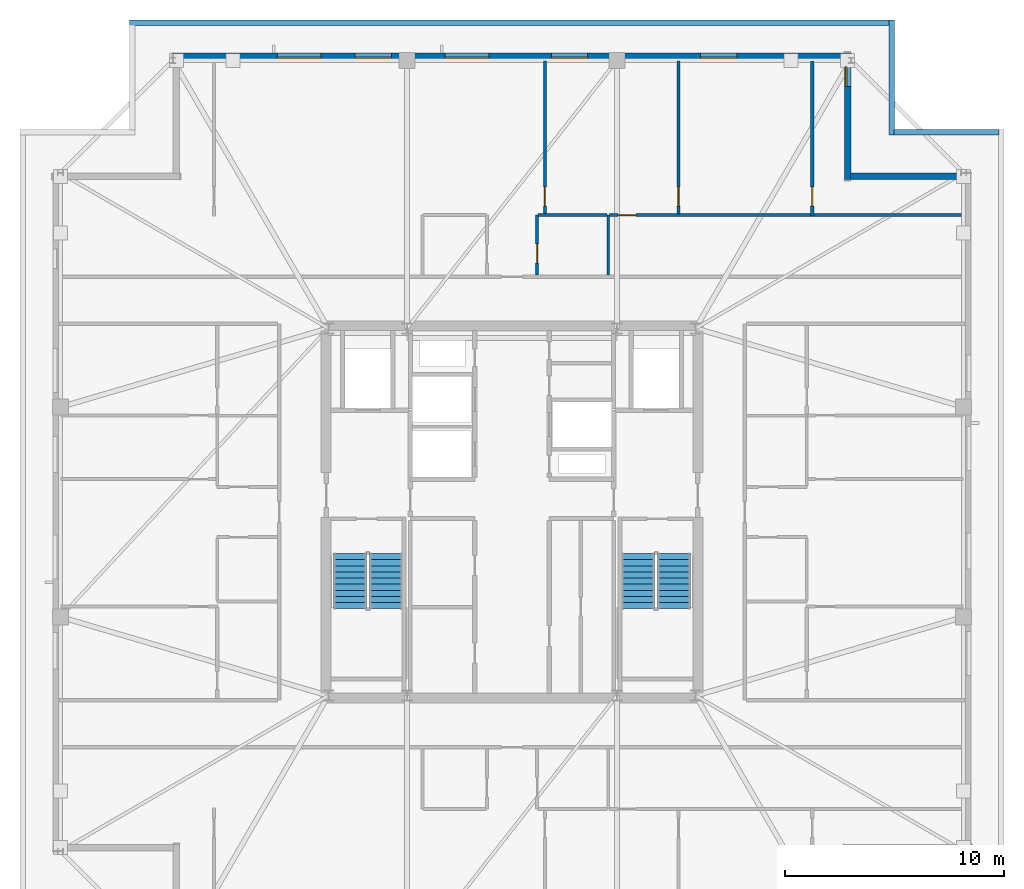
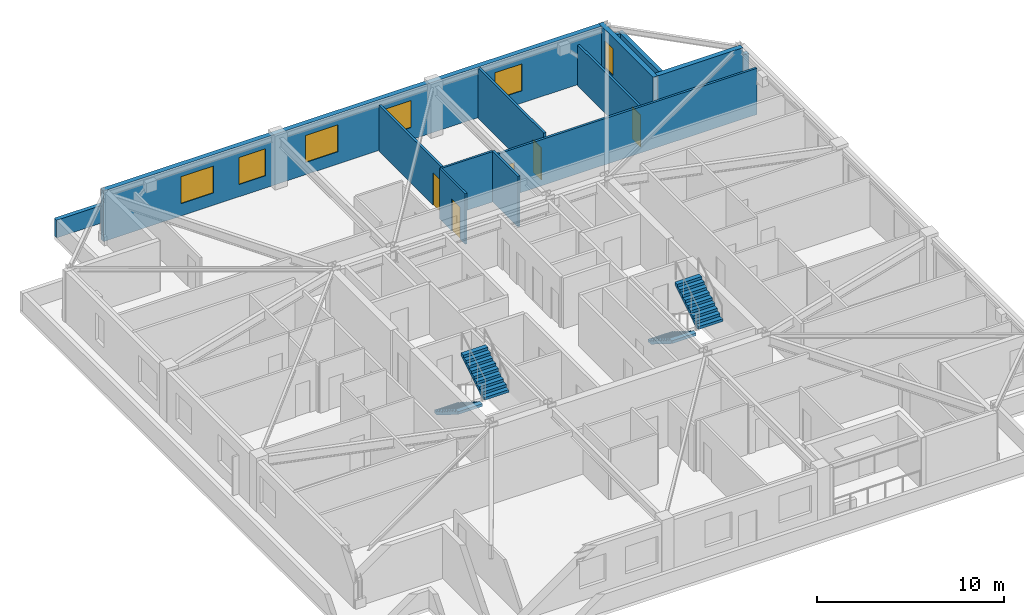
# One storey, part 11 of 15: 13 walls, 6 windows, 5 doors, 4 stair flights, 11 openings, 2 elements without a shape of their own.
"""IFC4 building model written with IfcOpenShell, lengths in metres."""

from ifc_helpers import new_model, si_unit, direction, frame, frame_2d, origin, place, context, subcontext, project, spatial, polyline, rectangle, outline, extrude, material, layer, layer_set, type_object, element, fill, aggregate, save


model = new_model("IFC4")

# Units and contexts
model_context = context("Model", 3, precision=1e-05, world=origin(), true_north=direction((0.0, 1.0)))
body_context = subcontext(model_context, "Body", "Model", "MODEL_VIEW")
ifc_project = project(units=[si_unit("LENGTHUNIT", "METRE"), si_unit("AREAUNIT", "SQUARE_METRE"), si_unit("VOLUMEUNIT", "CUBIC_METRE"), si_unit("PLANEANGLEUNIT", "RADIAN"), si_unit("MASSUNIT", "GRAM", prefix="KILO")], contexts=[model_context])

# Site, building, storey
site_placement = place(None, origin())
site = spatial("IfcSite", under=ifc_project, at=site_placement, CompositionType="ELEMENT")
building_placement = place(site_placement, origin())
building = spatial("IfcBuilding", under=site, at=building_placement, Name="Cairnveth Concourse Tower", CompositionType="ELEMENT")
storey_placement = place(building_placement, frame((0.0, 0.0, 280.5)))
storey = spatial("IfcBuildingStorey", under=building, at=storey_placement, Name="L77", CompositionType="ELEMENT", Elevation=280.5)

# Wall, opening, door
ifc_material_1 = material(Name="Gypsum Plasterboard Partition", Category="gypsum")
ifc_layer_1 = layer(ifc_material_1, 0.139892578125)
ifc_layer_set_1 = layer_set([ifc_layer_1], Name="Gypsum Plasterboard Partition")
wall_type_1 = type_object("IfcWallType", Name="GYPSUM STUD PARTITION 140", PredefinedType="PARTITIONING", material=ifc_layer_set_1)
wall_1_placement = place(storey_placement, frame((65.72998046875, 52.5400390625, 0.0), z_axis=(0.0, 0.0, 1.0), x_axis=(0.0, 1.0, 0.0)))
wall_1 = element("IfcWall", 1, at=wall_1_placement, inside=storey, type_object=wall_type_1, Name="Interior Wall IW-L77-062", PredefinedType="PARTITIONING", context=body_context, shape_type="SweptSolid", body=[
    extrude(rectangle(XDim=7.080078125, YDim=0.139892578125, at=frame_2d((3.5400390625, 0.0))), origin(), (0.0, 0.0, 1.0), 2.653076171875),
])
opening_1_placement = place(wall_1_placement, frame((0.449951171875, 0.0, 0.0)))
opening_1 = element("IfcOpeningElement", 2, at=opening_1_placement, cuts=wall_1, Name="Opening ID18", PredefinedType="OPENING", context=body_context, shape_type="SweptSolid", body=[
    extrude(rectangle(XDim=0.8798828125, YDim=2.10009765625, at=frame_2d((0.43994140625, 1.050048828125))), frame((0.0, 0.079833984375, 0.0), z_axis=(0.0, -1.0, 0.0), x_axis=(1.0, 0.0, 0.0)), (0.0, 0.0, 1.0), 0.159912109375),
])
ifc_material_2 = material(Name="Solid Core Hardwood Timber Leaf", Category="wood")
door_type_1 = type_object("IfcDoorType", Name="INTERIOR SINGLE DOOR 880X2100", OperationType="NOTDEFINED", PredefinedType="DOOR", material=ifc_material_2)
door_1_placement = place(opening_1_placement, origin())
door_1 = element("IfcDoor", 3, at=door_1_placement, inside=storey, type_object=door_type_1, Name="L77PN1 Bedroom 2 Door", OperationType="SINGLE_SWING_RIGHT", OverallHeight=2.10009765625, OverallWidth=0.8798828125, PredefinedType="DOOR", context=body_context, shape_type="SweptSolid", body=[
    extrude(rectangle(XDim=0.8798828125, YDim=2.10009765625, at=frame_2d((0.43994140625, 1.050048828125))), frame((0.0, 0.02490234375, 0.0), z_axis=(0.0, -1.0, 0.0), x_axis=(1.0, 0.0, 0.0)), (0.0, 0.0, 1.0), 0.050048828125),
])
fill(opening_1, door_1)

wall_2_placement = place(storey_placement, frame((56.449951171875, 52.580078125, 0.0), z_axis=(0.0, 0.0, 1.0), x_axis=(1.0, 0.0, 0.0)))
wall_2 = element("IfcWall", 4, at=wall_2_placement, inside=storey, type_object=wall_type_1, Name="Interior Wall IW-L77-063", PredefinedType="PARTITIONING", context=body_context, shape_type="SweptSolid", body=[
    extrude(rectangle(XDim=16.179931640625, YDim=0.139892578125, at=frame_2d((8.08984375, 0.0))), origin(), (0.0, 0.0, 1.0), 3.009033203125),
])
opening_2_placement = place(wall_2_placement, frame((0.39990234375, 0.0, 0.0)))
opening_2 = element("IfcOpeningElement", 5, at=opening_2_placement, cuts=wall_2, Name="Opening ID22", PredefinedType="OPENING", context=body_context, shape_type="SweptSolid", body=[
    extrude(rectangle(XDim=0.820068359375, YDim=2.10009765625, at=frame_2d((0.41015625, 1.050048828125))), frame((0.0, 0.079833984375, 0.0), z_axis=(0.0, -1.0, 0.0), x_axis=(1.0, 0.0, 0.0)), (0.0, 0.0, 1.0), 0.159912109375),
])
door_type_2 = type_object("IfcDoorType", Name="INTERIOR WC DOOR 820X2100", OperationType="NOTDEFINED", PredefinedType="DOOR", material=ifc_material_2)
door_2_placement = place(opening_2_placement, origin())
door_2 = element("IfcDoor", 6, at=door_2_placement, inside=storey, type_object=door_type_2, Name="L77PN1 Utility Door", OperationType="SINGLE_SWING_LEFT", OverallHeight=2.10009765625, OverallWidth=0.820068359375, PredefinedType="DOOR", context=body_context, shape_type="SweptSolid", body=[
    extrude(rectangle(XDim=0.820068359375, YDim=2.10009765625, at=frame_2d((0.41015625, 1.050048828125))), frame((0.0, 0.02490234375, 0.0), z_axis=(0.0, -1.0, 0.0), x_axis=(1.0, 0.0, 0.0)), (0.0, 0.0, 1.0), 0.050048828125),
])
fill(opening_2, door_2)

wall_3_placement = place(storey_placement, frame((53.5, 52.6298828125, 0.0), z_axis=(0.0, 0.0, 1.0), x_axis=(0.0, 1.0, 0.0)))
wall_3 = element("IfcWall", 7, at=wall_3_placement, inside=storey, type_object=wall_type_1, Name="Interior Wall IW-L77-064", PredefinedType="PARTITIONING", context=body_context, shape_type="SweptSolid", body=[
    extrude(rectangle(XDim=6.990234375, YDim=0.139892578125, at=frame_2d((3.4951171875, 0.0))), origin(), (0.0, 0.0, 1.0), 3.009033203125),
])
opening_3_placement = place(wall_3_placement, frame((0.360107421875, 0.0, 0.0)))
opening_3 = element("IfcOpeningElement", 8, at=opening_3_placement, cuts=wall_3, Name="Opening ID18", PredefinedType="OPENING", context=body_context, shape_type="SweptSolid", body=[
    extrude(rectangle(XDim=0.8798828125, YDim=2.10009765625, at=frame_2d((0.43994140625, 1.050048828125))), frame((0.0, 0.079833984375, 0.0), z_axis=(0.0, -1.0, 0.0), x_axis=(1.0, 0.0, 0.0)), (0.0, 0.0, 1.0), 0.159912109375),
])
door_3_placement = place(opening_3_placement, origin())
door_3 = element("IfcDoor", 9, at=door_3_placement, inside=storey, type_object=door_type_1, Name="L77PN1 Media Lounge Door", OperationType="SINGLE_SWING_LEFT", OverallHeight=2.10009765625, OverallWidth=0.8798828125, PredefinedType="DOOR", context=body_context, shape_type="SweptSolid", body=[
    extrude(rectangle(XDim=0.8798828125, YDim=2.10009765625, at=frame_2d((0.43994140625, 1.050048828125))), frame((0.0, 0.02490234375, 0.0), z_axis=(0.0, -1.0, 0.0), x_axis=(1.0, 0.0, 0.0)), (0.0, 0.0, 1.0), 0.050048828125),
])
fill(opening_3, door_3)

wall_4_placement = place(storey_placement, frame((59.614990234375, 52.635009765625, 0.0), z_axis=(0.0, 0.0, 1.0), x_axis=(0.0, 1.0, 0.0)))
wall_4 = element("IfcWall", 10, at=wall_4_placement, inside=storey, type_object=wall_type_1, Name="Interior Wall IW-L77-065", PredefinedType="PARTITIONING", context=body_context, shape_type="SweptSolid", body=[
    extrude(rectangle(XDim=6.985107421875, YDim=0.139892578125, at=frame_2d((3.49267578125, 0.0))), origin(), (0.0, 0.0, 1.0), 3.2900390625),
])
opening_4_placement = place(wall_4_placement, frame((0.35498046875, 0.0, 0.0)))
opening_4 = element("IfcOpeningElement", 11, at=opening_4_placement, cuts=wall_4, Name="Opening ID18", PredefinedType="OPENING", context=body_context, shape_type="SweptSolid", body=[
    extrude(rectangle(XDim=0.8798828125, YDim=2.10009765625, at=frame_2d((0.43994140625, 1.050048828125))), frame((0.0, 0.079833984375, 0.0), z_axis=(0.0, -1.0, 0.0), x_axis=(1.0, 0.0, 0.0)), (0.0, 0.0, 1.0), 0.159912109375),
])
door_4_placement = place(opening_4_placement, origin())
door_4 = element("IfcDoor", 12, at=door_4_placement, inside=storey, type_object=door_type_1, Name="L77PN1 Library Salon Door", OperationType="SINGLE_SWING_RIGHT", OverallHeight=2.10009765625, OverallWidth=0.8798828125, PredefinedType="DOOR", context=body_context, shape_type="SweptSolid", body=[
    extrude(rectangle(XDim=0.8798828125, YDim=2.10009765625, at=frame_2d((0.43994140625, 1.050048828125))), frame((0.0, 0.02490234375, 0.0), z_axis=(0.0, -1.0, 0.0), x_axis=(1.0, 0.0, 0.0)), (0.0, 0.0, 1.0), 0.050048828125),
])
fill(opening_4, door_4)

# Walls
ifc_material_3 = material(Name="Hawthorn Red-Ochre Fired Clay Brick Masonry", Category="masonry")
ifc_layer_2 = layer(ifc_material_3, 0.25)
ifc_layer_set_2 = layer_set([ifc_layer_2], Name="Hawthorn Red-Ochre Fired Clay Brick Masonry")
wall_type_2 = type_object("IfcWallType", Name="ROOF MASONRY PARAPET WALL 250", PredefinedType="PARAPET", material=ifc_layer_set_2)
wall_5_placement = place(storey_placement, frame((34.5, 61.375, 0.0), z_axis=(0.0, 0.0, 1.0), x_axis=(1.0, 0.0, 0.0)))
element("IfcWall", 13, at=wall_5_placement, inside=storey, type_object=wall_type_2, Name="Exterior Wall EP-L77-SB05", PredefinedType="PARAPET", context=body_context, shape_type="SweptSolid", body=[
    extrude(rectangle(XDim=34.77197265625, YDim=0.25, at=frame_2d((17.385986328125, 0.0))), origin(), (0.0, 0.0, 1.0), 1.14990234375),
])
wall_6_placement = place(storey_placement, frame((69.375, 61.5, 0.0), z_axis=(0.0, 0.0, 1.0), x_axis=(0.0, -1.0, 0.0)))
element("IfcWall", 14, at=wall_6_placement, inside=storey, type_object=wall_type_2, Name="Exterior Wall EP-L77-SB06", PredefinedType="PARAPET", context=body_context, shape_type="SweptSolid", body=[
    extrude(rectangle(XDim=5.25, YDim=0.25, at=frame_2d((2.625, 0.0))), origin(), (0.0, 0.0, 1.0), 1.14990234375),
])
wall_7_placement = place(storey_placement, frame((69.47802734375, 56.375, 0.0), z_axis=(0.0, 0.0, 1.0), x_axis=(1.0, 0.0, 0.0)))
element("IfcWall", 15, at=wall_7_placement, inside=storey, type_object=wall_type_2, Name="Exterior Wall EP-L77-SB07", PredefinedType="PARAPET", context=body_context, shape_type="SweptSolid", body=[
    extrude(rectangle(XDim=4.7939453125, YDim=0.25, at=frame_2d((2.39697265625, 0.0))), origin(), (0.0, 0.0, 1.0), 1.14990234375),
])
ifc_layer_3 = layer(ifc_material_1, 0.1298828125)
ifc_layer_set_3 = layer_set([ifc_layer_3], Name="Gypsum Plasterboard Partition")
wall_type_3 = type_object("IfcWallType", Name="WET AREA PARTITION 140", PredefinedType="PLUMBINGWALL", material=ifc_layer_set_3)
wall_8_placement = place(storey_placement, frame((56.39990234375, 49.830078125, 0.0), z_axis=(0.0, 0.0, 1.0), x_axis=(0.0, 1.0, 0.0)))
element("IfcWall", 16, at=wall_8_placement, inside=storey, type_object=wall_type_3, Name="Interior Wall IW-L77-058", PredefinedType="PLUMBINGWALL", context=body_context, shape_type="SweptSolid", body=[
    extrude(rectangle(XDim=2.75, YDim=0.1298828125, at=frame_2d((1.375, 0.0))), origin(), (0.0, 0.0, 1.0), 3.2900390625),
])

# Wall, opening, door
wall_9_placement = place(storey_placement, frame((53.14990234375, 49.830078125, 0.0), z_axis=(0.0, 0.0, 1.0), x_axis=(0.0, 1.0, 0.0)))
wall_9 = element("IfcWall", 17, at=wall_9_placement, inside=storey, type_object=wall_type_3, Name="Interior Wall IW-L77-059", PredefinedType="PLUMBINGWALL", context=body_context, shape_type="SweptSolid", body=[
    extrude(rectangle(XDim=2.75, YDim=0.1298828125, at=frame_2d((1.375, 0.0))), origin(), (0.0, 0.0, 1.0), 3.2900390625),
])
opening_5_placement = place(wall_9_placement, frame((0.550048828125, 0.0, 0.0)))
opening_5 = element("IfcOpeningElement", 18, at=opening_5_placement, cuts=wall_9, Name="Opening ID18", PredefinedType="OPENING", context=body_context, shape_type="SweptSolid", body=[
    extrude(rectangle(XDim=0.8798828125, YDim=2.10009765625, at=frame_2d((0.43994140625, 1.050048828125))), frame((0.0, 0.074951171875, 0.0), z_axis=(0.0, -1.0, 0.0), x_axis=(1.0, 0.0, 0.0)), (0.0, 0.0, 1.0), 0.14990234375),
])
door_5_placement = place(opening_5_placement, origin())
door_5 = element("IfcDoor", 19, at=door_5_placement, inside=storey, type_object=door_type_1, Name="L77PN1 Kitchen Door", OperationType="SINGLE_SWING_LEFT", OverallHeight=2.10009765625, OverallWidth=0.8798828125, PredefinedType="DOOR", context=body_context, shape_type="SweptSolid", body=[
    extrude(rectangle(XDim=0.8798828125, YDim=2.10009765625, at=frame_2d((0.43994140625, 1.050048828125))), frame((0.0, 0.02490234375, 0.0), z_axis=(0.0, -1.0, 0.0), x_axis=(1.0, 0.0, 0.0)), (0.0, 0.0, 1.0), 0.050048828125),
])
fill(opening_5, door_5)

# Wall
wall_10_placement = place(storey_placement, frame((53.199951171875, 52.580078125, 0.0), z_axis=(0.0, 0.0, 1.0), x_axis=(1.0, 0.0, 0.0)))
element("IfcWall", 20, at=wall_10_placement, inside=storey, type_object=wall_type_3, Name="Interior Wall IW-L77-060", PredefinedType="PLUMBINGWALL", context=body_context, shape_type="SweptSolid", body=[
    extrude(rectangle(XDim=3.150146484375, YDim=0.1298828125, at=frame_2d((1.5751953125, 0.0))), origin(), (0.0, 0.0, 1.0), 3.2900390625),
])

# Wall, openings, windows
ifc_layer_4 = layer(ifc_material_3, 0.300048828125)
ifc_layer_set_4 = layer_set([ifc_layer_4], Name="Hawthorn Red-Ochre Fired Clay Brick Masonry")
wall_type_4 = type_object("IfcWallType", Name="ZONE 4 BRICK PIER SPANDREL WALL 300", PredefinedType="SOLIDWALL", material=ifc_layer_set_4)
wall_11_placement = place(storey_placement, frame((36.5, 59.85009765625, 0.0), z_axis=(0.0, 0.0, 1.0), x_axis=(1.0, 0.0, 0.0)))
wall_11 = element("IfcWall", 21, at=wall_11_placement, inside=storey, type_object=wall_type_4, Name="Exterior Wall EW-L77-S06", PredefinedType="SOLIDWALL", context=body_context, shape_type="SweptSolid", body=[
    extrude(rectangle(XDim=30.721923828125, YDim=0.300048828125, at=frame_2d((15.36083984375, 0.0))), origin(), (0.0, 0.0, 1.0), 3.2900390625),
])
opening_6_placement = place(wall_11_placement, frame((4.7685546875, 0.0, 0.800048828125)))
opening_6 = element("IfcOpeningElement", 22, at=opening_6_placement, cuts=wall_11, Name="Opening W09", PredefinedType="OPENING", context=body_context, shape_type="SweptSolid", body=[
    extrude(rectangle(XDim=2.0, YDim=1.758056640625, at=frame_2d((1.0, 0.87890625))), frame((0.0, 0.159912109375, 0.0), z_axis=(0.0, -1.0, 0.0), x_axis=(1.0, 0.0, 0.0)), (0.0, 0.0, 1.0), 0.320068359375),
])
opening_7_placement = place(wall_11_placement, frame((8.33056640625, 0.0, 0.800048828125)))
opening_7 = element("IfcOpeningElement", 23, at=opening_7_placement, cuts=wall_11, Name="Opening W04", PredefinedType="OPENING", context=body_context, shape_type="SweptSolid", body=[
    extrude(rectangle(XDim=1.64990234375, YDim=1.758056640625, at=frame_2d((0.824951171875, 0.87890625))), frame((0.0, 0.159912109375, 0.0), z_axis=(0.0, -1.0, 0.0), x_axis=(1.0, 0.0, 0.0)), (0.0, 0.0, 1.0), 0.320068359375),
])
opening_8_placement = place(wall_11_placement, frame((12.4423828125, 0.0, 0.800048828125)))
opening_8 = element("IfcOpeningElement", 24, at=opening_8_placement, cuts=wall_11, Name="Opening W09", PredefinedType="OPENING", context=body_context, shape_type="SweptSolid", body=[
    extrude(rectangle(XDim=2.0, YDim=1.758056640625, at=frame_2d((1.0, 0.87890625))), frame((0.0, 0.159912109375, 0.0), z_axis=(0.0, -1.0, 0.0), x_axis=(1.0, 0.0, 0.0)), (0.0, 0.0, 1.0), 0.320068359375),
])
opening_9_placement = place(wall_11_placement, frame((17.304443359375, 0.0, 0.800048828125)))
opening_9 = element("IfcOpeningElement", 25, at=opening_9_placement, cuts=wall_11, Name="Opening W04", PredefinedType="OPENING", context=body_context, shape_type="SweptSolid", body=[
    extrude(rectangle(XDim=1.64990234375, YDim=1.758056640625, at=frame_2d((0.824951171875, 0.87890625))), frame((0.0, 0.159912109375, 0.0), z_axis=(0.0, -1.0, 0.0), x_axis=(1.0, 0.0, 0.0)), (0.0, 0.0, 1.0), 0.320068359375),
])
opening_10_placement = place(wall_11_placement, frame((24.12841796875, 0.0, 0.800048828125)))
opening_10 = element("IfcOpeningElement", 26, at=opening_10_placement, cuts=wall_11, Name="Opening W04", PredefinedType="OPENING", context=body_context, shape_type="SweptSolid", body=[
    extrude(rectangle(XDim=1.64990234375, YDim=1.758056640625, at=frame_2d((0.824951171875, 0.87890625))), frame((0.0, 0.159912109375, 0.0), z_axis=(0.0, -1.0, 0.0), x_axis=(1.0, 0.0, 0.0)), (0.0, 0.0, 1.0), 0.320068359375),
])
ifc_material_4 = material(Name="Double Glazed Low-E Clear Glass", Category="glass")
window_type_1 = type_object("IfcWindowType", Name="DEEP-SET GOTHIC LANCET WINDOW 1650X1850", PartitioningType="DOUBLE_PANEL_VERTICAL", PredefinedType="WINDOW", material=ifc_material_4)
window_1_placement = place(opening_7_placement, origin())
window_1 = element("IfcWindow", 27, at=window_1_placement, inside=storey, type_object=window_type_1, Name="Gothic Lancet Window L77-6-2", OverallHeight=1.758056640625, OverallWidth=1.64990234375, PartitioningType="SINGLE_PANEL", PredefinedType="WINDOW", context=body_context, shape_type="SweptSolid", body=[
    extrude(rectangle(XDim=1.64990234375, YDim=1.758056640625, at=frame_2d((0.824951171875, 0.87890625))), frame((0.0, -0.050048828125, 0.0), z_axis=(0.0, -1.0, 0.0), x_axis=(1.0, 0.0, 0.0)), (0.0, 0.0, 1.0), 0.06005859375),
])
fill(opening_7, window_1)
window_2_placement = place(opening_9_placement, origin())
window_2 = element("IfcWindow", 28, at=window_2_placement, inside=storey, type_object=window_type_1, Name="Gothic Lancet Window L77-6-4", OverallHeight=1.758056640625, OverallWidth=1.64990234375, PartitioningType="SINGLE_PANEL", PredefinedType="WINDOW", context=body_context, shape_type="SweptSolid", body=[
    extrude(rectangle(XDim=1.64990234375, YDim=1.758056640625, at=frame_2d((0.824951171875, 0.87890625))), frame((0.0, -0.050048828125, 0.0), z_axis=(0.0, -1.0, 0.0), x_axis=(1.0, 0.0, 0.0)), (0.0, 0.0, 1.0), 0.06005859375),
])
fill(opening_9, window_2)
window_3_placement = place(opening_10_placement, origin())
window_3 = element("IfcWindow", 29, at=window_3_placement, inside=storey, type_object=window_type_1, Name="Gothic Lancet Window L77-6-6", OverallHeight=1.758056640625, OverallWidth=1.64990234375, PartitioningType="SINGLE_PANEL", PredefinedType="WINDOW", context=body_context, shape_type="SweptSolid", body=[
    extrude(rectangle(XDim=1.64990234375, YDim=1.758056640625, at=frame_2d((0.824951171875, 0.87890625))), frame((0.0, -0.050048828125, 0.0), z_axis=(0.0, -1.0, 0.0), x_axis=(1.0, 0.0, 0.0)), (0.0, 0.0, 1.0), 0.06005859375),
])
fill(opening_10, window_3)
window_type_2 = type_object("IfcWindowType", Name="DEEP-SET PENTHOUSE LANCET WINDOW 2000X1850", PartitioningType="DOUBLE_PANEL_VERTICAL", PredefinedType="WINDOW", material=ifc_material_4)
window_4_placement = place(opening_6_placement, origin())
window_4 = element("IfcWindow", 30, at=window_4_placement, inside=storey, type_object=window_type_2, Name="Gothic Lancet Window L77-6-1", OverallHeight=1.758056640625, OverallWidth=2.0, PartitioningType="SINGLE_PANEL", PredefinedType="WINDOW", context=body_context, shape_type="SweptSolid", body=[
    extrude(rectangle(XDim=2.0, YDim=1.758056640625, at=frame_2d((1.0, 0.87890625))), frame((0.0, -0.050048828125, 0.0), z_axis=(0.0, -1.0, 0.0), x_axis=(1.0, 0.0, 0.0)), (0.0, 0.0, 1.0), 0.06005859375),
])
fill(opening_6, window_4)
window_5_placement = place(opening_8_placement, origin())
window_5 = element("IfcWindow", 31, at=window_5_placement, inside=storey, type_object=window_type_2, Name="Gothic Lancet Window L77-6-3", OverallHeight=1.758056640625, OverallWidth=2.0, PartitioningType="SINGLE_PANEL", PredefinedType="WINDOW", context=body_context, shape_type="SweptSolid", body=[
    extrude(rectangle(XDim=2.0, YDim=1.758056640625, at=frame_2d((1.0, 0.87890625))), frame((0.0, -0.050048828125, 0.0), z_axis=(0.0, -1.0, 0.0), x_axis=(1.0, 0.0, 0.0)), (0.0, 0.0, 1.0), 0.06005859375),
])
fill(opening_8, window_5)

# Wall, opening, window
wall_12_placement = place(storey_placement, frame((67.35009765625, 60.0, 0.0), z_axis=(0.0, 0.0, 1.0), x_axis=(0.0, -1.0, 0.0)))
wall_12 = element("IfcWall", 32, at=wall_12_placement, inside=storey, type_object=wall_type_4, Name="Exterior Wall EW-L77-S07", PredefinedType="SOLIDWALL", context=body_context, shape_type="SweptSolid", body=[
    extrude(rectangle(XDim=5.800048828125, YDim=0.300048828125, at=frame_2d((2.89990234375, 0.0))), origin(), (0.0, 0.0, 1.0), 3.2900390625),
])
opening_11_placement = place(wall_12_placement, frame((0.6298828125, 0.0, 0.800048828125)))
opening_11 = element("IfcOpeningElement", 33, at=opening_11_placement, cuts=wall_12, Name="Opening W13", PredefinedType="OPENING", context=body_context, shape_type="SweptSolid", body=[
    extrude(rectangle(XDim=0.89990234375, YDim=1.75, at=frame_2d((0.449951171875, 0.875))), frame((0.0, 0.159912109375, 0.0), z_axis=(0.0, -1.0, 0.0), x_axis=(1.0, 0.0, 0.0)), (0.0, 0.0, 1.0), 0.320068359375),
])
window_type_3 = type_object("IfcWindowType", Name="DEEP-SET BEDROOM LANCET WINDOW 900X1750", PartitioningType="DOUBLE_PANEL_VERTICAL", PredefinedType="WINDOW", material=ifc_material_4)
window_6_placement = place(opening_11_placement, origin())
window_6 = element("IfcWindow", 34, at=window_6_placement, inside=storey, type_object=window_type_3, Name="Dwelling Lancet Window L77-DW4", OverallHeight=1.75, OverallWidth=0.89990234375, PartitioningType="SINGLE_PANEL", PredefinedType="WINDOW", context=body_context, shape_type="SweptSolid", body=[
    extrude(rectangle(XDim=0.89990234375, YDim=1.75, at=frame_2d((0.449951171875, 0.875))), frame((0.0, -0.0400390625, 0.0), z_axis=(0.0, -1.0, 0.0), x_axis=(1.0, 0.0, 0.0)), (0.0, 0.0, 1.0), 0.06005859375),
])
fill(opening_11, window_6)

# Wall
wall_13_placement = place(storey_placement, frame((67.47802734375, 54.35009765625, 0.0), z_axis=(0.0, 0.0, 1.0), x_axis=(1.0, 0.0, 0.0)))
element("IfcWall", 35, at=wall_13_placement, inside=storey, type_object=wall_type_4, Name="Exterior Wall EW-L77-S08", PredefinedType="SOLIDWALL", context=body_context, shape_type="SweptSolid", body=[
    extrude(rectangle(XDim=5.243896484375, YDim=0.300048828125, at=frame_2d((2.6220703125, 0.0))), origin(), (0.0, 0.0, 1.0), 3.2900390625),
])

# Stair, stair flights
ifc_material_5 = material(Name="Precast concrete N50 (50 MPa)", Category="concrete")
stair_type = type_object("IfcStairType", Name="CORE DOG-LEG FIRE STAIR 1500", PredefinedType="HALF_TURN_STAIR", material=ifc_material_5)
stair_1_placement = place(storey_placement, origin())
stair_1 = element("IfcStair", 36, at=stair_1_placement, inside=storey, type_object=stair_type, Name="L77 Fire-Isolated Stair ST-1", PredefinedType="HALF_TURN_STAIR")
stair_flight_type = type_object("IfcStairFlightType", Name="PRECAST CONCRETE STAIR FLIGHT 1500", PredefinedType="STRAIGHT", material=ifc_material_5)
stair_flight_1_placement = place(storey_placement, frame((44.590087890625, 37.10009765625, 0.0), z_axis=(0.0, 0.0, 1.0), x_axis=(0.0, -1.0, 0.0)))
stair_flight_1 = element("IfcStairFlight", 37, at=stair_flight_1_placement, type_object=stair_flight_type, Name="ST-1 flight 1", NumberOfRisers=10, NumberOfTreads=9, PredefinedType="STRAIGHT", RiserHeight=0.175, TreadLength=0.28, context=body_context, shape_type="SweptSolid", body=[
    extrude(outline(polyline([(0.0, 0.0), (0.0, 0.175048828125), (0.280029296875, 0.175048828125), (0.280029296875, 0.35009765625), (0.56005859375, 0.35009765625), (0.56005859375, 0.52490234375), (0.840087890625, 0.52490234375), (0.840087890625, 0.699951171875), (1.1201171875, 0.699951171875), (1.1201171875, 0.875), (1.39990234375, 0.875), (1.39990234375, 1.050048828125), (1.679931640625, 1.050048828125), (1.679931640625, 1.22509765625), (1.9599609375, 1.22509765625), (1.9599609375, 1.39990234375), (2.239990234375, 1.39990234375), (2.239990234375, 1.574951171875), (2.52001953125, 1.574951171875), (2.52001953125, 1.75), (2.52001953125, 1.398193359375), (0.28271484375, 0.0), (0.0, 0.0)])), frame((0.0, 0.75, 0.0), z_axis=(0.0, -1.0, 0.0), x_axis=(1.0, 0.0, 0.0)), (0.0, 0.0, 1.0), 1.5),
])
stair_flight_2_placement = place(storey_placement, frame((46.22998046875, 34.580078125, 1.75), z_axis=(0.0, 0.0, 1.0), x_axis=(0.0, 1.0, 0.0)))
stair_flight_2 = element("IfcStairFlight", 38, at=stair_flight_2_placement, type_object=stair_flight_type, Name="ST-1 flight 2", NumberOfRisers=10, NumberOfTreads=9, PredefinedType="STRAIGHT", RiserHeight=0.175, TreadLength=0.28, context=body_context, shape_type="SweptSolid", body=[
    extrude(outline(polyline([(0.0, 0.0), (0.0, 0.175048828125), (0.280029296875, 0.175048828125), (0.280029296875, 0.35009765625), (0.56005859375, 0.35009765625), (0.56005859375, 0.52490234375), (0.840087890625, 0.52490234375), (0.840087890625, 0.699951171875), (1.1201171875, 0.699951171875), (1.1201171875, 0.875), (1.39990234375, 0.875), (1.39990234375, 1.050048828125), (1.679931640625, 1.050048828125), (1.679931640625, 1.22509765625), (1.9599609375, 1.22509765625), (1.9599609375, 1.39990234375), (2.239990234375, 1.39990234375), (2.239990234375, 1.574951171875), (2.52001953125, 1.574951171875), (2.52001953125, 1.75), (2.52001953125, 1.398193359375), (0.28271484375, 0.0), (0.0, 0.0)])), frame((0.0, 0.75, 0.0), z_axis=(0.0, -1.0, 0.0), x_axis=(1.0, 0.0, 0.0)), (0.0, 0.0, 1.0), 1.5),
])
aggregate(stair_1, [stair_flight_1, stair_flight_2])

stair_2_placement = place(storey_placement, origin())
stair_2 = element("IfcStair", 39, at=stair_2_placement, inside=storey, type_object=stair_type, Name="L77 Fire-Isolated Stair ST-2", PredefinedType="HALF_TURN_STAIR")
stair_flight_3_placement = place(storey_placement, frame((57.77001953125, 37.10009765625, 0.0), z_axis=(0.0, 0.0, 1.0), x_axis=(0.0, -1.0, 0.0)))
stair_flight_3 = element("IfcStairFlight", 40, at=stair_flight_3_placement, type_object=stair_flight_type, Name="ST-2 flight 1", NumberOfRisers=10, NumberOfTreads=9, PredefinedType="STRAIGHT", RiserHeight=0.175, TreadLength=0.28, context=body_context, shape_type="SweptSolid", body=[
    extrude(outline(polyline([(0.0, 0.0), (0.0, 0.175048828125), (0.280029296875, 0.175048828125), (0.280029296875, 0.35009765625), (0.56005859375, 0.35009765625), (0.56005859375, 0.52490234375), (0.840087890625, 0.52490234375), (0.840087890625, 0.699951171875), (1.1201171875, 0.699951171875), (1.1201171875, 0.875), (1.39990234375, 0.875), (1.39990234375, 1.050048828125), (1.679931640625, 1.050048828125), (1.679931640625, 1.22509765625), (1.9599609375, 1.22509765625), (1.9599609375, 1.39990234375), (2.239990234375, 1.39990234375), (2.239990234375, 1.574951171875), (2.52001953125, 1.574951171875), (2.52001953125, 1.75), (2.52001953125, 1.398193359375), (0.28271484375, 0.0), (0.0, 0.0)])), frame((0.0, 0.75, 0.0), z_axis=(0.0, -1.0, 0.0), x_axis=(1.0, 0.0, 0.0)), (0.0, 0.0, 1.0), 1.5),
])
stair_flight_4_placement = place(storey_placement, frame((59.409912109375, 34.580078125, 1.75), z_axis=(0.0, 0.0, 1.0), x_axis=(0.0, 1.0, 0.0)))
stair_flight_4 = element("IfcStairFlight", 41, at=stair_flight_4_placement, type_object=stair_flight_type, Name="ST-2 flight 2", NumberOfRisers=10, NumberOfTreads=9, PredefinedType="STRAIGHT", RiserHeight=0.175, TreadLength=0.28, context=body_context, shape_type="SweptSolid", body=[
    extrude(outline(polyline([(0.0, 0.0), (0.0, 0.175048828125), (0.280029296875, 0.175048828125), (0.280029296875, 0.35009765625), (0.56005859375, 0.35009765625), (0.56005859375, 0.52490234375), (0.840087890625, 0.52490234375), (0.840087890625, 0.699951171875), (1.1201171875, 0.699951171875), (1.1201171875, 0.875), (1.39990234375, 0.875), (1.39990234375, 1.050048828125), (1.679931640625, 1.050048828125), (1.679931640625, 1.22509765625), (1.9599609375, 1.22509765625), (1.9599609375, 1.39990234375), (2.239990234375, 1.39990234375), (2.239990234375, 1.574951171875), (2.52001953125, 1.574951171875), (2.52001953125, 1.75), (2.52001953125, 1.398193359375), (0.28271484375, 0.0), (0.0, 0.0)])), frame((0.0, 0.75, 0.0), z_axis=(0.0, -1.0, 0.0), x_axis=(1.0, 0.0, 0.0)), (0.0, 0.0, 1.0), 1.5),
])
aggregate(stair_2, [stair_flight_3, stair_flight_4])

save(model, "model.ifc")
